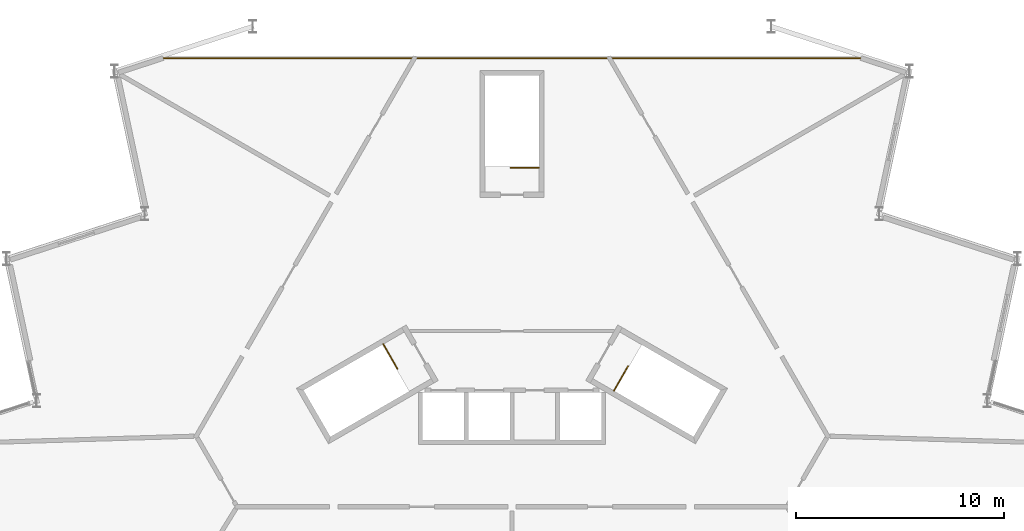
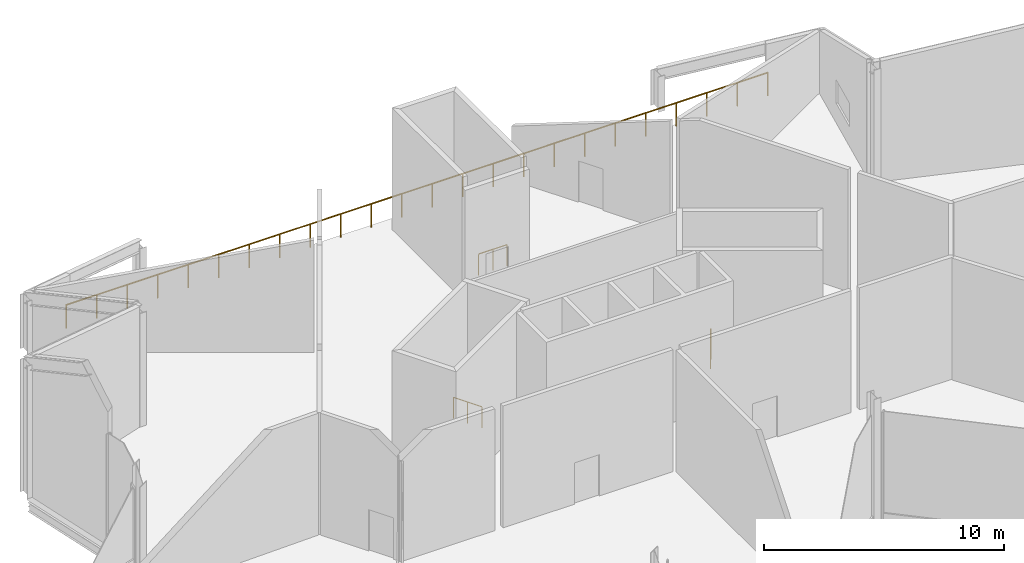
# One storey, part 10 of 10: 4 railings.
"""IFC4 building model written with IfcOpenShell, lengths in metres."""

from ifc_helpers import new_model, si_unit, direction, frame, origin, origin_2d, place, context, subcontext, project, spatial, circle, extrude, material, type_object, element, save


model = new_model("IFC4")

# Units and contexts
model_context = context("Model", 3, precision=1e-05, world=origin(), true_north=direction((0.0, 1.0)))
body_context = subcontext(model_context, "Body", "Model", "MODEL_VIEW")
ifc_project = project(units=[si_unit("LENGTHUNIT", "METRE"), si_unit("AREAUNIT", "SQUARE_METRE"), si_unit("VOLUMEUNIT", "CUBIC_METRE"), si_unit("PLANEANGLEUNIT", "RADIAN"), si_unit("MASSUNIT", "GRAM", prefix="KILO")], contexts=[model_context])

# Site, building, storey
site_placement = place(None, origin())
site = spatial("IfcSite", under=ifc_project, at=site_placement, CompositionType="ELEMENT")
building_placement = place(site_placement, origin())
building = spatial("IfcBuilding", under=site, at=building_placement, Name="Cormorant Prow Tower", CompositionType="ELEMENT")
storey_placement = place(building_placement, frame((0.0, 0.0, 441.199951171875)))
storey = spatial("IfcBuildingStorey", under=building, at=storey_placement, Name="L98", CompositionType="ELEMENT", Elevation=441.199951171875)

# Railings
ifc_material_1 = material(Name="Aluminium 6063-T6", Category="aluminium")
railing_type_1 = type_object("IfcRailingType", Name="Crown floor-edge guard 1200", PredefinedType="GUARDRAIL", material=ifc_material_1)
railing_1_placement = place(storey_placement, frame((-16.889404296875, 11.674072265625, 0.0)))
element("IfcRailing", 1, at=railing_1_placement, inside=storey, type_object=railing_type_1, Name="Crown floor edge guard L98", PredefinedType="GUARDRAIL", context=body_context, shape_type="SweptSolid", body=[
    extrude(circle(Radius=0.02392578125, at=origin_2d()), frame((0.0, 0.0, 1.17578125), z_axis=(1.0, 0.0, 0.0), x_axis=(0.0, 1.0, 0.0)), (0.0, 0.0, 1.0), 33.77880859375),
    extrude(circle(Radius=0.02099609375, at=origin_2d()), origin(), (0.0, 0.0, 1.0), 1.15185546875),
    extrude(circle(Radius=0.02099609375, at=origin_2d()), frame((1.46875, 0.0, 0.0)), (0.0, 0.0, 1.0), 1.15185546875),
    extrude(circle(Radius=0.02099609375, at=origin_2d()), frame((2.937255859375, 0.0, 0.0)), (0.0, 0.0, 1.0), 1.15185546875),
    extrude(circle(Radius=0.02099609375, at=origin_2d()), frame((4.406005859375, 0.0, 0.0)), (0.0, 0.0, 1.0), 1.15185546875),
    extrude(circle(Radius=0.02099609375, at=origin_2d()), frame((5.87451171875, 0.0, 0.0)), (0.0, 0.0, 1.0), 1.15185546875),
    extrude(circle(Radius=0.02099609375, at=origin_2d()), frame((7.34326171875, 0.0, 0.0)), (0.0, 0.0, 1.0), 1.15185546875),
    extrude(circle(Radius=0.02099609375, at=origin_2d()), frame((8.811767578125, 0.0, 0.0)), (0.0, 0.0, 1.0), 1.15185546875),
    extrude(circle(Radius=0.02099609375, at=origin_2d()), frame((10.280517578125, 0.0, 0.0)), (0.0, 0.0, 1.0), 1.15185546875),
    extrude(circle(Radius=0.02099609375, at=origin_2d()), frame((11.749267578125, 0.0, 0.0)), (0.0, 0.0, 1.0), 1.15185546875),
    extrude(circle(Radius=0.02099609375, at=origin_2d()), frame((13.2177734375, 0.0, 0.0)), (0.0, 0.0, 1.0), 1.15185546875),
    extrude(circle(Radius=0.02099609375, at=origin_2d()), frame((14.6865234375, 0.0, 0.0)), (0.0, 0.0, 1.0), 1.15185546875),
    extrude(circle(Radius=0.02099609375, at=origin_2d()), frame((16.155029296875, 0.0, 0.0)), (0.0, 0.0, 1.0), 1.15185546875),
    extrude(circle(Radius=0.02099609375, at=origin_2d()), frame((17.623779296875, 0.0, 0.0)), (0.0, 0.0, 1.0), 1.15185546875),
    extrude(circle(Radius=0.02099609375, at=origin_2d()), frame((19.09228515625, 0.0, 0.0)), (0.0, 0.0, 1.0), 1.15185546875),
    extrude(circle(Radius=0.02099609375, at=origin_2d()), frame((20.56103515625, 0.0, 0.0)), (0.0, 0.0, 1.0), 1.15185546875),
    extrude(circle(Radius=0.02099609375, at=origin_2d()), frame((22.029541015625, 0.0, 0.0)), (0.0, 0.0, 1.0), 1.15185546875),
    extrude(circle(Radius=0.02099609375, at=origin_2d()), frame((23.498291015625, 0.0, 0.0)), (0.0, 0.0, 1.0), 1.15185546875),
    extrude(circle(Radius=0.02099609375, at=origin_2d()), frame((24.967041015625, 0.0, 0.0)), (0.0, 0.0, 1.0), 1.15185546875),
    extrude(circle(Radius=0.02099609375, at=origin_2d()), frame((26.435546875, 0.0, 0.0)), (0.0, 0.0, 1.0), 1.15185546875),
    extrude(circle(Radius=0.02099609375, at=origin_2d()), frame((27.904296875, 0.0, 0.0)), (0.0, 0.0, 1.0), 1.15185546875),
    extrude(circle(Radius=0.02099609375, at=origin_2d()), frame((29.372802734375, 0.0, 0.0)), (0.0, 0.0, 1.0), 1.15185546875),
    extrude(circle(Radius=0.02099609375, at=origin_2d()), frame((30.841552734375, 0.0, 0.0)), (0.0, 0.0, 1.0), 1.15185546875),
    extrude(circle(Radius=0.02099609375, at=origin_2d()), frame((32.31005859375, 0.0, 0.0)), (0.0, 0.0, 1.0), 1.15185546875),
    extrude(circle(Radius=0.02099609375, at=origin_2d()), frame((33.77880859375, 0.0, 0.0)), (0.0, 0.0, 1.0), 1.15185546875),
])
ifc_material_2 = material(Name="Stainless steel", Category="steel")
railing_type_2 = type_object("IfcRailingType", Name="Stair guard 1100", PredefinedType="GUARDRAIL", material=ifc_material_2)
railing_2_placement = place(storey_placement, frame((-6.194580078125, -2.082275390625, 0.0)))
element("IfcRailing", 2, at=railing_2_placement, inside=storey, type_object=railing_type_2, Name="L98 ST1 top well guard 1", PredefinedType="GUARDRAIL", context=body_context, shape_type="SweptSolid", body=[
    extrude(circle(Radius=0.02392578125, at=origin_2d()), frame((0.0, 0.0, 1.076171875), z_axis=(0.500051773299, -0.865995510393, 0.0), x_axis=(0.865995510393, 0.500051773299, 0.0)), (0.0, 0.0, 1.0), 1.368896484375),
    extrude(circle(Radius=0.02099609375, at=origin_2d()), origin(), (0.0, 0.0, 1.0), 1.052001953125),
    extrude(circle(Radius=0.02099609375, at=origin_2d()), frame((0.34228515625, -0.5927734375, 0.0)), (0.0, 0.0, 1.0), 1.052001953125),
    extrude(circle(Radius=0.02099609375, at=origin_2d()), frame((0.6845703125, -1.185546875, 0.0)), (0.0, 0.0, 1.0), 1.052001953125),
])
railing_3_placement = place(storey_placement, frame((4.900634765625, -4.323486328125, 0.0)))
element("IfcRailing", 3, at=railing_3_placement, inside=storey, type_object=railing_type_2, Name="L98 ST2 top well guard 1", PredefinedType="GUARDRAIL", context=body_context, shape_type="SweptSolid", body=[
    extrude(circle(Radius=0.02392578125, at=origin_2d()), frame((0.0, 0.0, 1.076171875), z_axis=(0.500051773299, 0.865995510393, 0.0), x_axis=(-0.865995510393, 0.500051773299, 0.0)), (0.0, 0.0, 1.0), 1.368896484375),
    extrude(circle(Radius=0.02099609375, at=origin_2d()), origin(), (0.0, 0.0, 1.0), 1.052001953125),
    extrude(circle(Radius=0.02099609375, at=origin_2d()), frame((0.34228515625, 0.5927734375, 0.0)), (0.0, 0.0, 1.0), 1.052001953125),
    extrude(circle(Radius=0.02099609375, at=origin_2d()), frame((0.6845703125, 1.185546875, 0.0)), (0.0, 0.0, 1.0), 1.052001953125),
])
railing_4_placement = place(storey_placement, frame((1.2939453125, 6.40576171875, 0.0)))
element("IfcRailing", 4, at=railing_4_placement, inside=storey, type_object=railing_type_2, Name="L98 ST3 top well guard 1", PredefinedType="GUARDRAIL", context=body_context, shape_type="SweptSolid", body=[
    extrude(circle(Radius=0.02392578125, at=origin_2d()), frame((0.0, 0.0, 1.076171875), z_axis=(-1.0, 0.0, 0.0), x_axis=(0.0, -1.0, 0.0)), (0.0, 0.0, 1.0), 1.368896484375),
    extrude(circle(Radius=0.02099609375, at=origin_2d()), origin(), (0.0, 0.0, 1.0), 1.052001953125),
    extrude(circle(Radius=0.02099609375, at=origin_2d()), frame((-0.6845703125, 0.0, 0.0)), (0.0, 0.0, 1.0), 1.052001953125),
    extrude(circle(Radius=0.02099609375, at=origin_2d()), frame((-1.368896484375, 0.0, 0.0)), (0.0, 0.0, 1.0), 1.052001953125),
])

save(model, "model.ifc")
